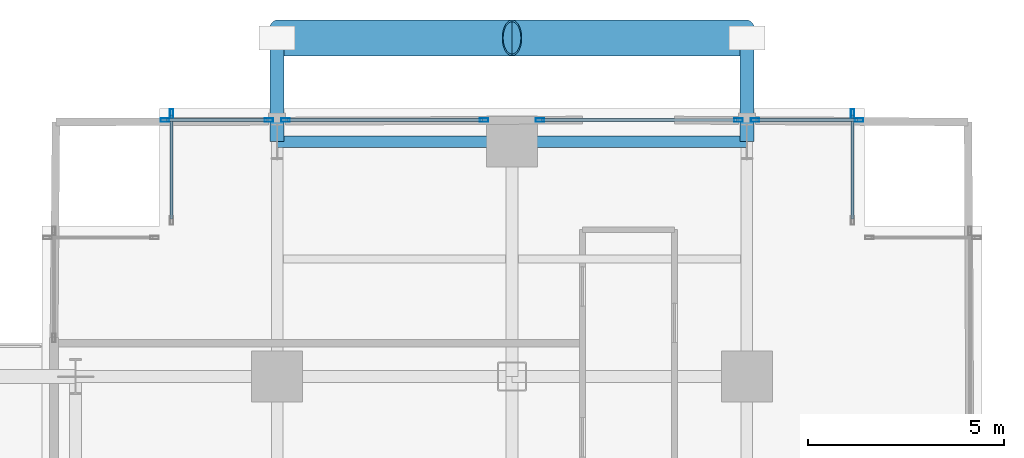
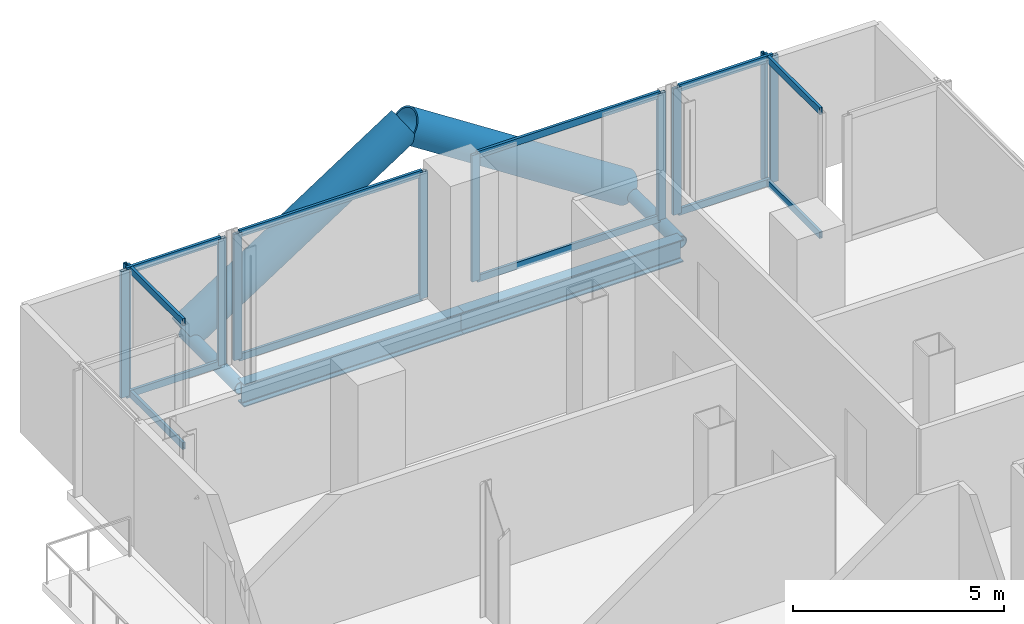
# One storey, part 16 of 27: 26 members, 2 beams, 6 elements without a shape of their own.
"""IFC4 building model written with IfcOpenShell, lengths in metres."""

from ifc_helpers import new_model, si_unit, direction, frame, origin, origin_2d, place, context, subcontext, project, spatial, hollow_rectangle, hollow_circle, i_section, extrude, material, layer, layer_set, material_profile, profile_set, type_object, element, aggregate, save


model = new_model("IFC4")

# Units and contexts
model_context = context("Model", 3, precision=1e-05, world=origin(), true_north=direction((0.0, 1.0)))
body_context = subcontext(model_context, "Body", "Model", "MODEL_VIEW")
ifc_project = project(units=[si_unit("LENGTHUNIT", "METRE"), si_unit("AREAUNIT", "SQUARE_METRE"), si_unit("VOLUMEUNIT", "CUBIC_METRE"), si_unit("PLANEANGLEUNIT", "RADIAN"), si_unit("MASSUNIT", "GRAM", prefix="KILO"), si_unit("THERMODYNAMICTEMPERATUREUNIT", "KELVIN"), si_unit("POWERUNIT", "WATT")], contexts=[model_context])

# Site, building, storey
site_placement = place(None, origin())
site = spatial("IfcSite", under=ifc_project, at=site_placement, CompositionType="ELEMENT")
building_placement = place(site_placement, origin())
building = spatial("IfcBuilding", under=site, at=building_placement, Name="Svarakhadi Broadcast Tower", CompositionType="ELEMENT")
storey_placement = place(building_placement, frame((0.0, 0.0, 71.39990234375)))
storey = spatial("IfcBuildingStorey", under=building, at=storey_placement, Name="L16", CompositionType="ELEMENT", Elevation=71.39990234375)

# Curtain wall, member
ifc_material_1 = material(Name="Anodised Bronze Aluminium AA 6063-T6", Category="aluminium")
ifc_layer = layer(ifc_material_1, 0.219970703125)
ifc_layer_set = layer_set([ifc_layer], Name="Anodised Bronze Aluminium AA 6063-T6")
curtain_wall_type = type_object("IfcCurtainWallType", Name="CW_Sys_02", PredefinedType="NOTDEFINED", material=ifc_layer_set)
curtain_wall_1_placement = place(storey_placement, origin())
curtain_wall_1 = element("IfcCurtainWall", 1, at=curtain_wall_1_placement, inside=storey, type_object=curtain_wall_type, Name="L16 Unitised Facade Curtain Wall 05", PredefinedType="NOTDEFINED")
ifc_material_profile_1 = material_profile(ifc_material_1, hollow_rectangle(XDim=0.0849609375, YDim=0.219970703125, WallThickness=0.006103515625, at=origin_2d()), Name="ALU MULLION 220x85x6")
ifc_profile_set_1 = profile_set([ifc_material_profile_1], Name="Anodised Bronze Aluminium AA 6063-T6")
member_type_1 = type_object("IfcMemberType", Name="CW_Sys_02_Mul", PredefinedType="MULLION", material=ifc_profile_set_1)
member_1_placement = place(storey_placement, frame((3.300048828125, 47.867431640625, 0.0), z_axis=(0.0, 0.0, 1.0), x_axis=(-1.0, 0.0, 0.0)))
member_1 = element("IfcMember", 2, at=member_1_placement, type_object=member_type_1, Name="CW-02 mullion 2", PredefinedType="MULLION", context=body_context, shape_type="SweptSolid", body=[
    extrude(hollow_rectangle(XDim=0.0849609375, YDim=0.219970703125, WallThickness=0.006103515625, at=origin_2d()), origin(), (0.0, 0.0, 1.0), 3.650146484375),
])

# Curtain wall, members
curtain_wall_2_placement = place(storey_placement, origin())
curtain_wall_2 = element("IfcCurtainWall", 3, at=curtain_wall_2_placement, inside=storey, type_object=curtain_wall_type, Name="L16 Unitised Facade Curtain Wall 06 Bay 1", PredefinedType="NOTDEFINED")
member_2_placement = place(storey_placement, frame((3.132568359375, 47.699951171875, 0.0), z_axis=(0.0, 0.0, 1.0), x_axis=(0.0, 1.0, 0.0)))
member_2 = element("IfcMember", 4, at=member_2_placement, type_object=member_type_1, Name="CW-02 mullion 1", PredefinedType="MULLION", context=body_context, shape_type="SweptSolid", body=[
    extrude(hollow_rectangle(XDim=0.0849609375, YDim=0.219970703125, WallThickness=0.006103515625, at=origin_2d()), origin(), (0.0, 0.0, 1.0), 3.650146484375),
])
member_3_placement = place(storey_placement, frame((5.78759765625, 47.699951171875, 0.0), z_axis=(0.0, 0.0, 1.0), x_axis=(0.0, 1.0, 0.0)))
member_3 = element("IfcMember", 5, at=member_3_placement, type_object=member_type_1, Name="CW-02 mullion 2", PredefinedType="MULLION", context=body_context, shape_type="SweptSolid", body=[
    extrude(hollow_rectangle(XDim=0.0849609375, YDim=0.219970703125, WallThickness=0.006103515625, at=origin_2d()), origin(), (0.0, 0.0, 1.0), 3.650146484375),
])

curtain_wall_3_placement = place(storey_placement, origin())
curtain_wall_3 = element("IfcCurtainWall", 6, at=curtain_wall_3_placement, inside=storey, type_object=curtain_wall_type, Name="L16 Unitised Facade Curtain Wall 06 Bay 2", PredefinedType="NOTDEFINED")
member_4_placement = place(storey_placement, frame((6.21240234375, 47.699951171875, 0.0), z_axis=(0.0, 0.0, 1.0), x_axis=(0.0, 1.0, 0.0)))
member_4 = element("IfcMember", 7, at=member_4_placement, type_object=member_type_1, Name="CW-02 mullion 1", PredefinedType="MULLION", context=body_context, shape_type="SweptSolid", body=[
    extrude(hollow_rectangle(XDim=0.0849609375, YDim=0.219970703125, WallThickness=0.006103515625, at=origin_2d()), origin(), (0.0, 0.0, 1.0), 3.650146484375),
])
member_5_placement = place(storey_placement, frame((11.28759765625, 47.699951171875, 0.0), z_axis=(0.0, 0.0, 1.0), x_axis=(0.0, 1.0, 0.0)))
member_5 = element("IfcMember", 8, at=member_5_placement, type_object=member_type_1, Name="CW-02 mullion 2", PredefinedType="MULLION", context=body_context, shape_type="SweptSolid", body=[
    extrude(hollow_rectangle(XDim=0.0849609375, YDim=0.219970703125, WallThickness=0.006103515625, at=origin_2d()), origin(), (0.0, 0.0, 1.0), 3.650146484375),
])

curtain_wall_4_placement = place(storey_placement, origin())
curtain_wall_4 = element("IfcCurtainWall", 9, at=curtain_wall_4_placement, inside=storey, type_object=curtain_wall_type, Name="L16 Unitised Facade Curtain Wall 06 Bay 3", PredefinedType="NOTDEFINED")
member_6_placement = place(storey_placement, frame((12.71240234375, 47.699951171875, 0.0), z_axis=(0.0, 0.0, 1.0), x_axis=(0.0, 1.0, 0.0)))
member_6 = element("IfcMember", 10, at=member_6_placement, type_object=member_type_1, Name="CW-02 mullion 1", PredefinedType="MULLION", context=body_context, shape_type="SweptSolid", body=[
    extrude(hollow_rectangle(XDim=0.0849609375, YDim=0.219970703125, WallThickness=0.006103515625, at=origin_2d()), origin(), (0.0, 0.0, 1.0), 3.650146484375),
])
member_7_placement = place(storey_placement, frame((17.78759765625, 47.699951171875, 0.0), z_axis=(0.0, 0.0, 1.0), x_axis=(0.0, 1.0, 0.0)))
member_7 = element("IfcMember", 11, at=member_7_placement, type_object=member_type_1, Name="CW-02 mullion 2", PredefinedType="MULLION", context=body_context, shape_type="SweptSolid", body=[
    extrude(hollow_rectangle(XDim=0.0849609375, YDim=0.219970703125, WallThickness=0.006103515625, at=origin_2d()), origin(), (0.0, 0.0, 1.0), 3.650146484375),
])

curtain_wall_5_placement = place(storey_placement, origin())
curtain_wall_5 = element("IfcCurtainWall", 12, at=curtain_wall_5_placement, inside=storey, type_object=curtain_wall_type, Name="L16 Unitised Facade Curtain Wall 06 Bay 4", PredefinedType="NOTDEFINED")
member_8_placement = place(storey_placement, frame((18.21240234375, 47.699951171875, 0.0), z_axis=(0.0, 0.0, 1.0), x_axis=(0.0, 1.0, 0.0)))
member_8 = element("IfcMember", 13, at=member_8_placement, type_object=member_type_1, Name="CW-02 mullion 1", PredefinedType="MULLION", context=body_context, shape_type="SweptSolid", body=[
    extrude(hollow_rectangle(XDim=0.0849609375, YDim=0.219970703125, WallThickness=0.006103515625, at=origin_2d()), origin(), (0.0, 0.0, 1.0), 3.650146484375),
])
member_9_placement = place(storey_placement, frame((20.867431640625, 47.699951171875, 0.0), z_axis=(0.0, 0.0, 1.0), x_axis=(0.0, 1.0, 0.0)))
member_9 = element("IfcMember", 14, at=member_9_placement, type_object=member_type_1, Name="CW-02 mullion 2", PredefinedType="MULLION", context=body_context, shape_type="SweptSolid", body=[
    extrude(hollow_rectangle(XDim=0.0849609375, YDim=0.219970703125, WallThickness=0.006103515625, at=origin_2d()), origin(), (0.0, 0.0, 1.0), 3.650146484375),
])

# Curtain wall, member
curtain_wall_6_placement = place(storey_placement, origin())
curtain_wall_6 = element("IfcCurtainWall", 15, at=curtain_wall_6_placement, inside=storey, type_object=curtain_wall_type, Name="L16 Unitised Facade Curtain Wall 07", PredefinedType="NOTDEFINED")
member_10_placement = place(storey_placement, frame((20.699951171875, 47.867431640625, 0.0), z_axis=(0.0, 0.0, 1.0), x_axis=(1.0, 0.0, 0.0)))
member_10 = element("IfcMember", 16, at=member_10_placement, type_object=member_type_1, Name="CW-02 mullion 1", PredefinedType="MULLION", context=body_context, shape_type="SweptSolid", body=[
    extrude(hollow_rectangle(XDim=0.0849609375, YDim=0.219970703125, WallThickness=0.006103515625, at=origin_2d()), origin(), (0.0, 0.0, 1.0), 3.650146484375),
])

# Member
ifc_material_profile_2 = material_profile(ifc_material_1, hollow_rectangle(XDim=0.074951171875, YDim=0.199951171875, WallThickness=0.0048828125, at=origin_2d()), Name="ALU TRANSOM 200x75x5")
ifc_profile_set_2 = profile_set([ifc_material_profile_2], Name="Anodised Bronze Aluminium AA 6063-T6")
member_type_2 = type_object("IfcMemberType", Name="CW_Sys_02_Trn", PredefinedType="USERDEFINED", material=ifc_profile_set_2)
member_11_placement = place(storey_placement, frame((3.300048828125, 45.175048828125, 0.03759765625), z_axis=(0.0, 1.0, 0.0), x_axis=(-1.0, 0.0, 0.0)))
member_11 = element("IfcMember", 17, at=member_11_placement, type_object=member_type_2, Name="CW-02 transom 1.1", ObjectType="TRANSOM", PredefinedType="USERDEFINED", context=body_context, shape_type="SweptSolid", body=[
    extrude(hollow_rectangle(XDim=0.074951171875, YDim=0.199951171875, WallThickness=0.0048828125, at=origin_2d()), origin(), (0.0, 0.0, 1.0), 2.64990234375),
])

member_12_placement = place(storey_placement, frame((3.300048828125, 45.175048828125, 3.612548828125), z_axis=(0.0, 1.0, 0.0), x_axis=(-1.0, 0.0, 0.0)))
member_12 = element("IfcMember", 18, at=member_12_placement, type_object=member_type_2, Name="CW-02 transom 1.2", ObjectType="TRANSOM", PredefinedType="USERDEFINED", context=body_context, shape_type="SweptSolid", body=[
    extrude(hollow_rectangle(XDim=0.074951171875, YDim=0.199951171875, WallThickness=0.0048828125, at=origin_2d()), origin(), (0.0, 0.0, 1.0), 2.64990234375),
])

aggregate(curtain_wall_1, [member_1, member_11, member_12])

member_13_placement = place(storey_placement, frame((3.175048828125, 47.699951171875, 0.03759765625), z_axis=(1.0, 0.0, 0.0), x_axis=(0.0, 1.0, 0.0)))
member_13 = element("IfcMember", 19, at=member_13_placement, type_object=member_type_2, Name="CW-02 transom 1.1", ObjectType="TRANSOM", PredefinedType="USERDEFINED", context=body_context, shape_type="SweptSolid", body=[
    extrude(hollow_rectangle(XDim=0.074951171875, YDim=0.199951171875, WallThickness=0.0048828125, at=origin_2d()), origin(), (0.0, 0.0, 1.0), 2.570068359375),
])

member_14_placement = place(storey_placement, frame((3.175048828125, 47.699951171875, 3.612548828125), z_axis=(1.0, 0.0, 0.0), x_axis=(0.0, 1.0, 0.0)))
member_14 = element("IfcMember", 20, at=member_14_placement, type_object=member_type_2, Name="CW-02 transom 1.2", ObjectType="TRANSOM", PredefinedType="USERDEFINED", context=body_context, shape_type="SweptSolid", body=[
    extrude(hollow_rectangle(XDim=0.074951171875, YDim=0.199951171875, WallThickness=0.0048828125, at=origin_2d()), origin(), (0.0, 0.0, 1.0), 2.570068359375),
])

aggregate(curtain_wall_2, [member_2, member_3, member_13, member_14])

member_15_placement = place(storey_placement, frame((6.2548828125, 47.699951171875, 0.03759765625), z_axis=(1.0, 0.0, 0.0), x_axis=(0.0, 1.0, 0.0)))
member_15 = element("IfcMember", 21, at=member_15_placement, type_object=member_type_2, Name="CW-02 transom 1.1", ObjectType="TRANSOM", PredefinedType="USERDEFINED", context=body_context, shape_type="SweptSolid", body=[
    extrude(hollow_rectangle(XDim=0.074951171875, YDim=0.199951171875, WallThickness=0.0048828125, at=origin_2d()), origin(), (0.0, 0.0, 1.0), 4.990234375),
])

member_16_placement = place(storey_placement, frame((6.2548828125, 47.699951171875, 3.612548828125), z_axis=(1.0, 0.0, 0.0), x_axis=(0.0, 1.0, 0.0)))
member_16 = element("IfcMember", 22, at=member_16_placement, type_object=member_type_2, Name="CW-02 transom 1.2", ObjectType="TRANSOM", PredefinedType="USERDEFINED", context=body_context, shape_type="SweptSolid", body=[
    extrude(hollow_rectangle(XDim=0.074951171875, YDim=0.199951171875, WallThickness=0.0048828125, at=origin_2d()), origin(), (0.0, 0.0, 1.0), 4.990234375),
])

aggregate(curtain_wall_3, [member_4, member_5, member_15, member_16])

member_17_placement = place(storey_placement, frame((12.7548828125, 47.699951171875, 0.03759765625), z_axis=(1.0, 0.0, 0.0), x_axis=(0.0, 1.0, 0.0)))
member_17 = element("IfcMember", 23, at=member_17_placement, type_object=member_type_2, Name="CW-02 transom 1.1", ObjectType="TRANSOM", PredefinedType="USERDEFINED", context=body_context, shape_type="SweptSolid", body=[
    extrude(hollow_rectangle(XDim=0.074951171875, YDim=0.199951171875, WallThickness=0.0048828125, at=origin_2d()), origin(), (0.0, 0.0, 1.0), 4.990234375),
])

member_18_placement = place(storey_placement, frame((12.7548828125, 47.699951171875, 3.612548828125), z_axis=(1.0, 0.0, 0.0), x_axis=(0.0, 1.0, 0.0)))
member_18 = element("IfcMember", 24, at=member_18_placement, type_object=member_type_2, Name="CW-02 transom 1.2", ObjectType="TRANSOM", PredefinedType="USERDEFINED", context=body_context, shape_type="SweptSolid", body=[
    extrude(hollow_rectangle(XDim=0.074951171875, YDim=0.199951171875, WallThickness=0.0048828125, at=origin_2d()), origin(), (0.0, 0.0, 1.0), 4.990234375),
])

aggregate(curtain_wall_4, [member_6, member_7, member_17, member_18])

member_19_placement = place(storey_placement, frame((18.2548828125, 47.699951171875, 0.03759765625), z_axis=(1.0, 0.0, 0.0), x_axis=(0.0, 1.0, 0.0)))
member_19 = element("IfcMember", 25, at=member_19_placement, type_object=member_type_2, Name="CW-02 transom 1.1", ObjectType="TRANSOM", PredefinedType="USERDEFINED", context=body_context, shape_type="SweptSolid", body=[
    extrude(hollow_rectangle(XDim=0.074951171875, YDim=0.199951171875, WallThickness=0.0048828125, at=origin_2d()), origin(), (0.0, 0.0, 1.0), 2.570068359375),
])

member_20_placement = place(storey_placement, frame((18.2548828125, 47.699951171875, 3.612548828125), z_axis=(1.0, 0.0, 0.0), x_axis=(0.0, 1.0, 0.0)))
member_20 = element("IfcMember", 26, at=member_20_placement, type_object=member_type_2, Name="CW-02 transom 1.2", ObjectType="TRANSOM", PredefinedType="USERDEFINED", context=body_context, shape_type="SweptSolid", body=[
    extrude(hollow_rectangle(XDim=0.074951171875, YDim=0.199951171875, WallThickness=0.0048828125, at=origin_2d()), origin(), (0.0, 0.0, 1.0), 2.570068359375),
])

aggregate(curtain_wall_5, [member_8, member_9, member_19, member_20])

member_21_placement = place(storey_placement, frame((20.699951171875, 47.824951171875, 0.03759765625), z_axis=(0.0, -1.0, 0.0), x_axis=(1.0, 0.0, 0.0)))
member_21 = element("IfcMember", 27, at=member_21_placement, type_object=member_type_2, Name="CW-02 transom 1.1", ObjectType="TRANSOM", PredefinedType="USERDEFINED", context=body_context, shape_type="SweptSolid", body=[
    extrude(hollow_rectangle(XDim=0.074951171875, YDim=0.199951171875, WallThickness=0.0048828125, at=origin_2d()), origin(), (0.0, 0.0, 1.0), 2.64990234375),
])

member_22_placement = place(storey_placement, frame((20.699951171875, 47.824951171875, 3.612548828125), z_axis=(0.0, -1.0, 0.0), x_axis=(1.0, 0.0, 0.0)))
member_22 = element("IfcMember", 28, at=member_22_placement, type_object=member_type_2, Name="CW-02 transom 1.2", ObjectType="TRANSOM", PredefinedType="USERDEFINED", context=body_context, shape_type="SweptSolid", body=[
    extrude(hollow_rectangle(XDim=0.074951171875, YDim=0.199951171875, WallThickness=0.0048828125, at=origin_2d()), origin(), (0.0, 0.0, 1.0), 2.64990234375),
])

aggregate(curtain_wall_6, [member_10, member_21, member_22])

# Members
ifc_material_2 = material(Name="Steel S460ML (IS 2062 E450BR)", Category="steel")
ifc_material_profile_3 = material_profile(ifc_material_2, hollow_circle(Radius=0.45703125, WallThickness=0.044921875, at=origin_2d()), Name="CHS 914x45")
ifc_profile_set_3 = profile_set([ifc_material_profile_3], Name="Steel S460ML (IS 2062 E450BR)")
member_type_3 = type_object("IfcMemberType", Name="Exo_Brace_CHS914", PredefinedType="BRACE", material=ifc_profile_set_3)
for number, where, z_axis, x_axis, name in (
    (29, (6.0, 49.800048828125, -0.427734375), (0.838434262763, 0.0, 0.545002740383), (0.0, 1.0, 0.0), "L16 Exposed Bronze Exoskeleton Diagonal N12"),
    (30, (18.0, 49.800048828125, -0.427734375), (-0.838434262763, 0.0, 0.545002740383), (0.0, -1.0, 0.0), "L16 Exposed Bronze Exoskeleton Diagonal N13"),
):
    element("IfcMember", number, at=place(storey_placement, frame(where, z_axis=z_axis, x_axis=x_axis)), inside=storey, type_object=member_type_3, Name=name, PredefinedType="BRACE", context=body_context, shape_type="SweptSolid", body=[
        extrude(hollow_circle(Radius=0.45703125, WallThickness=0.044921875, at=origin_2d()), origin(), (0.0, 0.0, 1.0), 7.15625),
    ])
ifc_material_profile_4 = material_profile(ifc_material_2, hollow_circle(Radius=0.177734375, WallThickness=0.02001953125, at=origin_2d()), Name="CHS 355.6x20")
ifc_profile_set_4 = profile_set([ifc_material_profile_4], Name="Steel S460ML (IS 2062 E450BR)")
member_type_4 = type_object("IfcMemberType", Name="Exo_Radial_Strut_Z1", PredefinedType="STRUT", material=ifc_profile_set_4)
for number, where, z_axis, x_axis, name in (
    (31, (6.0, 49.800048828125, -0.427734375), (0.0, -1.0, 0.0), (1.0, 0.0, 0.0), "L16 Exoskeleton Radial Tie Strut N11"),
    (32, (18.0, 49.800048828125, -0.427734375), (0.0, -1.0, 0.0), (1.0, 0.0, 0.0), "L16 Exoskeleton Radial Tie Strut N12"),
):
    element("IfcMember", number, at=place(storey_placement, frame(where, z_axis=z_axis, x_axis=x_axis)), inside=storey, type_object=member_type_4, Name=name, PredefinedType="STRUT", context=body_context, shape_type="SweptSolid", body=[
        extrude(hollow_circle(Radius=0.177734375, WallThickness=0.02001953125, at=origin_2d()), origin(), (0.0, 0.0, 1.0), 2.650146484375),
    ])

# Beams
ifc_material_3 = material(Name="Steel S355J2 (IS 2062 E350C)", Category="steel")
ifc_material_profile_5 = material_profile(ifc_material_3, i_section(OverallWidth=0.300048828125, OverallDepth=0.64990234375, WebThickness=0.01611328125, FlangeThickness=0.031005859375, FilletRadius=0.027099609375, at=origin_2d()), Name="WPB 650x300x225")
ifc_profile_set_5 = profile_set([ifc_material_profile_5], Name="Steel S355J2 (IS 2062 E350C)")
beam_type = type_object("IfcBeamType", Name="Girder_WPB650", PredefinedType="USERDEFINED", material=ifc_profile_set_5)
for number, where, z_axis, x_axis, name in (
    (33, (6.0, 47.14990234375, -0.574951171875), (1.0, 0.0, 0.0), (0.0, 1.0, 0.0), "L16 Primary E-W Girder G043"),
    (34, (12.0, 47.14990234375, -0.574951171875), (1.0, 0.0, 0.0), (0.0, 1.0, 0.0), "L16 Primary E-W Girder G044"),
):
    element("IfcBeam", number, at=place(storey_placement, frame(where, z_axis=z_axis, x_axis=x_axis)), inside=storey, type_object=beam_type, Name=name, ObjectType="GIRDER", PredefinedType="USERDEFINED", context=body_context, shape_type="SweptSolid", body=[
        extrude(i_section(OverallWidth=0.300048828125, OverallDepth=0.64990234375, WebThickness=0.01611328125, FlangeThickness=0.031005859375, FilletRadius=0.027099609375, at=origin_2d()), origin(), (0.0, 0.0, 1.0), 6.0),
    ])

save(model, "model.ifc")
